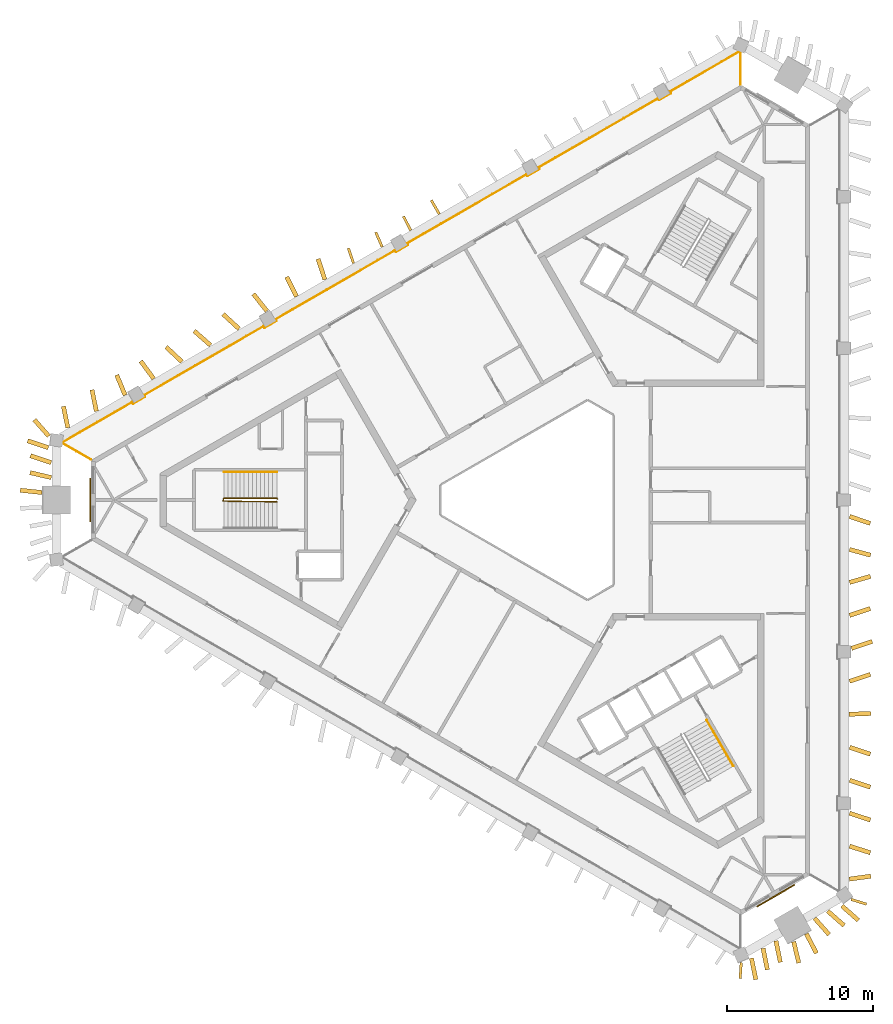
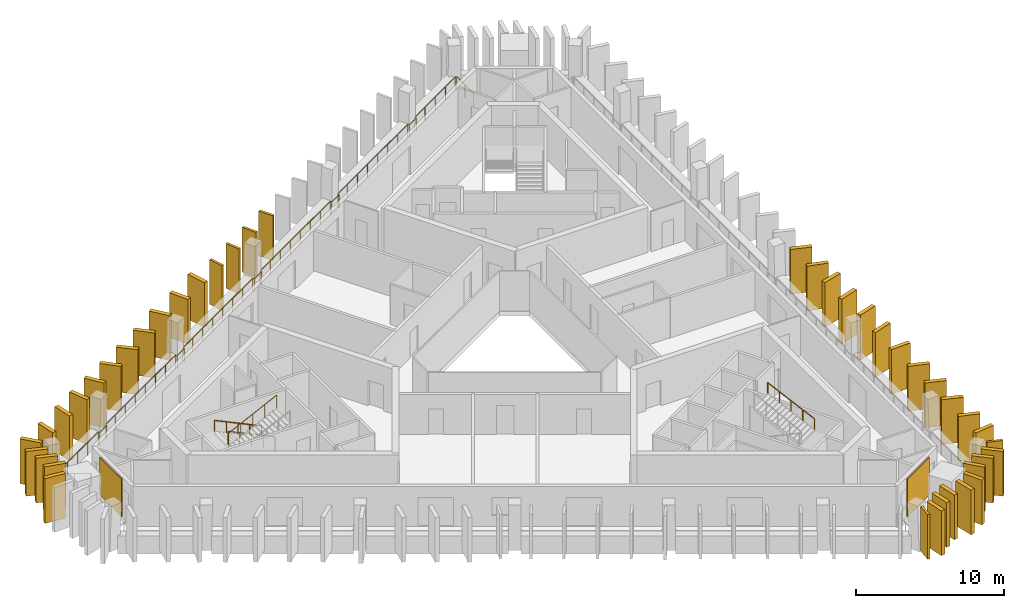
# One storey, part 8 of 9: 41 shading devices, 4 railings, 2 coverings.
"""IFC4 building model written with IfcOpenShell, lengths in metres."""

from ifc_helpers import new_model, si_unit, direction, frame, frame_2d, origin, origin_2d, place, context, subcontext, project, spatial, rectangle, circle, extrude, material, layer, layer_set, type_object, element, save


model = new_model("IFC4")

# Units and contexts
model_context = context("Model", 3, precision=1e-05, world=origin(), true_north=direction((0.0, 1.0)))
body_context = subcontext(model_context, "Body", "Model", "MODEL_VIEW")
ifc_project = project(units=[si_unit("LENGTHUNIT", "METRE"), si_unit("AREAUNIT", "SQUARE_METRE"), si_unit("VOLUMEUNIT", "CUBIC_METRE"), si_unit("PLANEANGLEUNIT", "RADIAN"), si_unit("MASSUNIT", "GRAM", prefix="KILO")], contexts=[model_context])

# Site, building, storey
site_placement = place(None, origin())
site = spatial("IfcSite", under=ifc_project, at=site_placement, CompositionType="ELEMENT")
building_placement = place(site_placement, origin())
building = spatial("IfcBuilding", under=site, at=building_placement, Name="Jabali Bay Hotel Tower and Convention Centre", CompositionType="ELEMENT")
storey_placement = place(building_placement, frame((0.0, 0.0, 209.5)))
storey = spatial("IfcBuildingStorey", under=building, at=storey_placement, Name="L51", CompositionType="ELEMENT", Elevation=209.5)

# Railing
ifc_material_1 = material(Name="Glass", Category="glass")
railing_type_1 = type_object("IfcRailingType", Name="Loggia glass guard 1100", PredefinedType="BALUSTRADE", material=ifc_material_1)
railing_1_placement = place(storey_placement, frame((43.65234375, 82.77392578125, 0.0)))
element("IfcRailing", 1, at=railing_1_placement, inside=storey, type_object=railing_type_1, Name="Loggia glass guard L51", PredefinedType="BALUSTRADE", context=body_context, shape_type="SweptSolid", body=[
    extrude(circle(Radius=0.02490234375, at=origin_2d()), frame((0.0, 0.0, 1.0751953125), z_axis=(-0.866008297462, 0.50002962785, 0.0), x_axis=(-0.495751805066, -0.858599476426, 0.13052619222)), (0.0, 0.0, 1.0), 2.247314453125),
    extrude(circle(Radius=0.02490234375, at=origin_2d()), frame((-1.9462890625, 1.123779296875, 1.0751953125), z_axis=(0.120005554105, 0.99277322032, 0.0), x_axis=(-0.984279907796, 0.118978889953, 0.13052619222)), (0.0, 0.0, 1.0), 0.067138671875),
    extrude(circle(Radius=0.02490234375, at=origin_2d()), frame((-1.938232421875, 1.1904296875, 1.0751953125), z_axis=(0.86603453913, 0.499984176783, 0.0), x_axis=(-0.49570674284, 0.858625493593, 0.13052619222)), (0.0, 0.0, 1.0), 5.517822265625),
    extrude(circle(Radius=0.02490234375, at=origin_2d()), frame((2.84033203125, 3.94921875, 1.0751953125), z_axis=(0.500342721131, -0.865827443207, 0.0), x_axis=(0.858420169404, 0.496062219791, 0.13052619222)), (0.0, 0.0, 1.0), 0.125),
    extrude(circle(Radius=0.02490234375, at=origin_2d()), frame((2.90283203125, 3.841064453125, 1.0751953125), z_axis=(0.866100000774, 0.49987077196, 0.0), x_axis=(-0.495594308211, 0.858690395203, 0.13052619222)), (0.0, 0.0, 1.0), 0.949951171875),
    extrude(circle(Radius=0.02490234375, at=origin_2d()), frame((3.7255859375, 4.31591796875, 1.0751953125), z_axis=(-0.499497219344, 0.8663154898, 0.0), x_axis=(-0.858904040691, -0.495223951389, 0.13052619222)), (0.0, 0.0, 1.0), 0.125244140625),
    extrude(circle(Radius=0.02490234375, at=origin_2d()), frame((3.6630859375, 4.42431640625, 1.0751953125), z_axis=(0.866030698575, 0.499990829041, 0.0), x_axis=(-0.495713338187, 0.858621685895, 0.13052619222)), (0.0, 0.0, 1.0), 9.475830078125),
    extrude(circle(Radius=0.02490234375, at=origin_2d()), frame((11.869384765625, 9.162109375, 1.0751953125), z_axis=(0.500342721131, -0.865827443207, 0.0), x_axis=(0.858420169404, 0.496062219791, 0.13052619222)), (0.0, 0.0, 1.0), 0.125),
    extrude(circle(Radius=0.02490234375, at=origin_2d()), frame((11.931884765625, 9.053955078125, 1.0751953125), z_axis=(0.866100000774, 0.49987077196, 0.0), x_axis=(-0.495594308211, 0.858690395203, 0.13052619222)), (0.0, 0.0, 1.0), 0.949951171875),
    extrude(circle(Radius=0.02490234375, at=origin_2d()), frame((12.754638671875, 9.52880859375, 1.0751953125), z_axis=(-0.499497219344, 0.8663154898, 0.0), x_axis=(-0.858904040691, -0.495223951389, 0.13052619222)), (0.0, 0.0, 1.0), 0.125244140625),
    extrude(circle(Radius=0.02490234375, at=origin_2d()), frame((12.692138671875, 9.63720703125, 1.0751953125), z_axis=(0.866024257407, 0.500001985578, 0.0), x_axis=(-0.495724399278, 0.858615299832, 0.13052619222)), (0.0, 0.0, 1.0), 9.4755859375),
    extrude(circle(Radius=0.02490234375, at=origin_2d()), frame((20.898193359375, 14.375, 1.0751953125), z_axis=(0.499497219344, -0.8663154898, 0.0), x_axis=(0.858904040691, 0.495223951389, 0.13052619222)), (0.0, 0.0, 1.0), 0.125244140625),
    extrude(circle(Radius=0.02490234375, at=origin_2d()), frame((20.960693359375, 14.2666015625, 1.0751953125), z_axis=(0.865988727248, 0.500063520245, 0.0), x_axis=(-0.495785407507, 0.858580073638, 0.13052619222)), (0.0, 0.0, 1.0), 0.9501953125),
    extrude(circle(Radius=0.02490234375, at=origin_2d()), frame((21.783447265625, 14.74169921875, 1.0751953125), z_axis=(-0.500342721131, 0.865827443207, 0.0), x_axis=(-0.858420169404, -0.496062219791, 0.13052619222)), (0.0, 0.0, 1.0), 0.125),
    extrude(circle(Radius=0.02490234375, at=origin_2d()), frame((21.720947265625, 14.849853515625, 1.0751953125), z_axis=(0.866019542174, 0.50001015247, 0.0), x_axis=(-0.495732496301, 0.858610624938, 0.13052619222)), (0.0, 0.0, 1.0), 9.475830078125),
    extrude(circle(Radius=0.02490234375, at=origin_2d()), frame((29.92724609375, 19.587890625, 1.0751953125), z_axis=(0.499497219344, -0.8663154898, 0.0), x_axis=(0.858904040691, 0.495223951389, 0.13052619222)), (0.0, 0.0, 1.0), 0.125244140625),
    extrude(circle(Radius=0.02490234375, at=origin_2d()), frame((29.98974609375, 19.4794921875, 1.0751953125), z_axis=(0.865988727248, 0.500063520245, 0.0), x_axis=(-0.495785407507, 0.858580073638, 0.13052619222)), (0.0, 0.0, 1.0), 0.9501953125),
    extrude(circle(Radius=0.02490234375, at=origin_2d()), frame((30.8125, 19.95458984375, 1.0751953125), z_axis=(-0.500342721131, 0.865827443207, 0.0), x_axis=(-0.858420169404, -0.496062219791, 0.13052619222)), (0.0, 0.0, 1.0), 0.125),
    extrude(circle(Radius=0.02490234375, at=origin_2d()), frame((30.75, 20.062744140625, 1.0751953125), z_axis=(0.866013100591, 0.500021309151, 0.0), x_axis=(-0.495743557535, 0.858604238463, 0.13052619222)), (0.0, 0.0, 1.0), 9.4755859375),
    extrude(circle(Radius=0.02490234375, at=origin_2d()), frame((38.9560546875, 24.80078125, 1.0751953125), z_axis=(0.499497219344, -0.8663154898, 0.0), x_axis=(0.858904040691, 0.495223951389, 0.13052619222)), (0.0, 0.0, 1.0), 0.125244140625),
    extrude(circle(Radius=0.02490234375, at=origin_2d()), frame((39.0185546875, 24.6923828125, 1.0751953125), z_axis=(0.865988727248, 0.500063520245, 0.0), x_axis=(-0.495785407507, 0.858580073638, 0.13052619222)), (0.0, 0.0, 1.0), 0.9501953125),
    extrude(circle(Radius=0.02490234375, at=origin_2d()), frame((39.84130859375, 25.16748046875, 1.0751953125), z_axis=(-0.500342721131, 0.865827443207, 0.0), x_axis=(-0.858420169404, -0.496062219791, 0.13052619222)), (0.0, 0.0, 1.0), 0.125),
    extrude(circle(Radius=0.02490234375, at=origin_2d()), frame((39.77880859375, 25.275634765625, 1.0751953125), z_axis=(0.866015380075, 0.500017361172, 0.0), x_axis=(-0.495739643332, 0.858606498446, 0.13052619222)), (0.0, 0.0, 1.0), 5.517822265625),
    extrude(circle(Radius=0.02490234375, at=origin_2d()), frame((44.557373046875, 28.03466796875, 1.0751953125), z_axis=(0.91970817197, -0.392602697916, 0.0), x_axis=(0.38924392741, 0.911839941063, 0.13052619222)), (0.0, 0.0, 1.0), 0.067138671875),
    extrude(circle(Radius=0.02490234375, at=origin_2d()), frame((44.619140625, 28.00830078125, 1.0751953125), z_axis=(0.0, -1.0, 0.0), x_axis=(0.991444861374, 0.0, 0.13052619222)), (0.0, 0.0, 1.0), 2.247314453125),
    extrude(circle(Radius=0.02001953125, at=origin_2d()), origin(), (0.0, 0.0, 1.0), 1.050048828125),
    extrude(circle(Radius=0.02001953125, at=origin_2d()), frame((-0.97314453125, 0.56201171875, 0.0)), (0.0, 0.0, 1.0), 1.050048828125),
    extrude(circle(Radius=0.02001953125, at=origin_2d()), frame((-1.9462890625, 1.123779296875, 0.0)), (0.0, 0.0, 1.0), 1.050048828125),
    extrude(circle(Radius=0.02001953125, at=origin_2d()), frame((-1.938232421875, 1.1904296875, 0.0)), (0.0, 0.0, 1.0), 1.050048828125),
    extrude(circle(Radius=0.02001953125, at=origin_2d()), frame((-0.74365234375, 1.880126953125, 0.0)), (0.0, 0.0, 1.0), 1.050048828125),
    extrude(circle(Radius=0.02001953125, at=origin_2d()), frame((0.451171875, 2.56982421875, 0.0)), (0.0, 0.0, 1.0), 1.050048828125),
    extrude(circle(Radius=0.02001953125, at=origin_2d()), frame((1.645751953125, 3.259521484375, 0.0)), (0.0, 0.0, 1.0), 1.050048828125),
    extrude(circle(Radius=0.02001953125, at=origin_2d()), frame((2.84033203125, 3.94921875, 0.0)), (0.0, 0.0, 1.0), 1.050048828125),
    extrude(circle(Radius=0.02001953125, at=origin_2d()), frame((2.90283203125, 3.841064453125, 0.0)), (0.0, 0.0, 1.0), 1.050048828125),
    extrude(circle(Radius=0.02001953125, at=origin_2d()), frame((3.7255859375, 4.31591796875, 0.0)), (0.0, 0.0, 1.0), 1.050048828125),
    extrude(circle(Radius=0.02001953125, at=origin_2d()), frame((3.6630859375, 4.42431640625, 0.0)), (0.0, 0.0, 1.0), 1.050048828125),
    extrude(circle(Radius=0.02001953125, at=origin_2d()), frame((4.83544921875, 5.10107421875, 0.0)), (0.0, 0.0, 1.0), 1.050048828125),
    extrude(circle(Radius=0.02001953125, at=origin_2d()), frame((6.0078125, 5.778076171875, 0.0)), (0.0, 0.0, 1.0), 1.050048828125),
    extrude(circle(Radius=0.02001953125, at=origin_2d()), frame((7.18017578125, 6.454833984375, 0.0)), (0.0, 0.0, 1.0), 1.050048828125),
    extrude(circle(Radius=0.02001953125, at=origin_2d()), frame((8.352294921875, 7.131591796875, 0.0)), (0.0, 0.0, 1.0), 1.050048828125),
    extrude(circle(Radius=0.02001953125, at=origin_2d()), frame((9.524658203125, 7.808349609375, 0.0)), (0.0, 0.0, 1.0), 1.050048828125),
    extrude(circle(Radius=0.02001953125, at=origin_2d()), frame((10.697021484375, 8.4853515625, 0.0)), (0.0, 0.0, 1.0), 1.050048828125),
    extrude(circle(Radius=0.02001953125, at=origin_2d()), frame((11.869384765625, 9.162109375, 0.0)), (0.0, 0.0, 1.0), 1.050048828125),
    extrude(circle(Radius=0.02001953125, at=origin_2d()), frame((11.931884765625, 9.053955078125, 0.0)), (0.0, 0.0, 1.0), 1.050048828125),
    extrude(circle(Radius=0.02001953125, at=origin_2d()), frame((12.754638671875, 9.52880859375, 0.0)), (0.0, 0.0, 1.0), 1.050048828125),
    extrude(circle(Radius=0.02001953125, at=origin_2d()), frame((12.692138671875, 9.63720703125, 0.0)), (0.0, 0.0, 1.0), 1.050048828125),
    extrude(circle(Radius=0.02001953125, at=origin_2d()), frame((13.864501953125, 10.31396484375, 0.0)), (0.0, 0.0, 1.0), 1.050048828125),
    extrude(circle(Radius=0.02001953125, at=origin_2d()), frame((15.03662109375, 10.990966796875, 0.0)), (0.0, 0.0, 1.0), 1.050048828125),
    extrude(circle(Radius=0.02001953125, at=origin_2d()), frame((16.208984375, 11.667724609375, 0.0)), (0.0, 0.0, 1.0), 1.050048828125),
    extrude(circle(Radius=0.02001953125, at=origin_2d()), frame((17.38134765625, 12.344482421875, 0.0)), (0.0, 0.0, 1.0), 1.050048828125),
    extrude(circle(Radius=0.02001953125, at=origin_2d()), frame((18.5537109375, 13.021240234375, 0.0)), (0.0, 0.0, 1.0), 1.050048828125),
    extrude(circle(Radius=0.02001953125, at=origin_2d()), frame((19.725830078125, 13.6982421875, 0.0)), (0.0, 0.0, 1.0), 1.050048828125),
    extrude(circle(Radius=0.02001953125, at=origin_2d()), frame((20.898193359375, 14.375, 0.0)), (0.0, 0.0, 1.0), 1.050048828125),
    extrude(circle(Radius=0.02001953125, at=origin_2d()), frame((20.960693359375, 14.2666015625, 0.0)), (0.0, 0.0, 1.0), 1.050048828125),
    extrude(circle(Radius=0.02001953125, at=origin_2d()), frame((21.783447265625, 14.74169921875, 0.0)), (0.0, 0.0, 1.0), 1.050048828125),
    extrude(circle(Radius=0.02001953125, at=origin_2d()), frame((21.720947265625, 14.849853515625, 0.0)), (0.0, 0.0, 1.0), 1.050048828125),
    extrude(circle(Radius=0.02001953125, at=origin_2d()), frame((22.893310546875, 15.526611328125, 0.0)), (0.0, 0.0, 1.0), 1.050048828125),
    extrude(circle(Radius=0.02001953125, at=origin_2d()), frame((24.065673828125, 16.20361328125, 0.0)), (0.0, 0.0, 1.0), 1.050048828125),
    extrude(circle(Radius=0.02001953125, at=origin_2d()), frame((25.238037109375, 16.88037109375, 0.0)), (0.0, 0.0, 1.0), 1.050048828125),
    extrude(circle(Radius=0.02001953125, at=origin_2d()), frame((26.41015625, 17.557373046875, 0.0)), (0.0, 0.0, 1.0), 1.050048828125),
    extrude(circle(Radius=0.02001953125, at=origin_2d()), frame((27.58251953125, 18.234130859375, 0.0)), (0.0, 0.0, 1.0), 1.050048828125),
    extrude(circle(Radius=0.02001953125, at=origin_2d()), frame((28.7548828125, 18.9111328125, 0.0)), (0.0, 0.0, 1.0), 1.050048828125),
    extrude(circle(Radius=0.02001953125, at=origin_2d()), frame((29.92724609375, 19.587890625, 0.0)), (0.0, 0.0, 1.0), 1.050048828125),
    extrude(circle(Radius=0.02001953125, at=origin_2d()), frame((29.98974609375, 19.4794921875, 0.0)), (0.0, 0.0, 1.0), 1.050048828125),
    extrude(circle(Radius=0.02001953125, at=origin_2d()), frame((30.8125, 19.95458984375, 0.0)), (0.0, 0.0, 1.0), 1.050048828125),
    extrude(circle(Radius=0.02001953125, at=origin_2d()), frame((30.75, 20.062744140625, 0.0)), (0.0, 0.0, 1.0), 1.050048828125),
    extrude(circle(Radius=0.02001953125, at=origin_2d()), frame((31.92236328125, 20.739501953125, 0.0)), (0.0, 0.0, 1.0), 1.050048828125),
    extrude(circle(Radius=0.02001953125, at=origin_2d()), frame((33.094482421875, 21.41650390625, 0.0)), (0.0, 0.0, 1.0), 1.050048828125),
    extrude(circle(Radius=0.02001953125, at=origin_2d()), frame((34.266845703125, 22.09326171875, 0.0)), (0.0, 0.0, 1.0), 1.050048828125),
    extrude(circle(Radius=0.02001953125, at=origin_2d()), frame((35.439208984375, 22.770263671875, 0.0)), (0.0, 0.0, 1.0), 1.050048828125),
    extrude(circle(Radius=0.02001953125, at=origin_2d()), frame((36.611572265625, 23.447021484375, 0.0)), (0.0, 0.0, 1.0), 1.050048828125),
    extrude(circle(Radius=0.02001953125, at=origin_2d()), frame((37.78369140625, 24.1240234375, 0.0)), (0.0, 0.0, 1.0), 1.050048828125),
    extrude(circle(Radius=0.02001953125, at=origin_2d()), frame((38.9560546875, 24.80078125, 0.0)), (0.0, 0.0, 1.0), 1.050048828125),
    extrude(circle(Radius=0.02001953125, at=origin_2d()), frame((39.0185546875, 24.6923828125, 0.0)), (0.0, 0.0, 1.0), 1.050048828125),
    extrude(circle(Radius=0.02001953125, at=origin_2d()), frame((39.84130859375, 25.16748046875, 0.0)), (0.0, 0.0, 1.0), 1.050048828125),
    extrude(circle(Radius=0.02001953125, at=origin_2d()), frame((39.77880859375, 25.275634765625, 0.0)), (0.0, 0.0, 1.0), 1.050048828125),
    extrude(circle(Radius=0.02001953125, at=origin_2d()), frame((40.973388671875, 25.96533203125, 0.0)), (0.0, 0.0, 1.0), 1.050048828125),
    extrude(circle(Radius=0.02001953125, at=origin_2d()), frame((42.16796875, 26.6552734375, 0.0)), (0.0, 0.0, 1.0), 1.050048828125),
    extrude(circle(Radius=0.02001953125, at=origin_2d()), frame((43.36279296875, 27.344970703125, 0.0)), (0.0, 0.0, 1.0), 1.050048828125),
    extrude(circle(Radius=0.02001953125, at=origin_2d()), frame((44.557373046875, 28.03466796875, 0.0)), (0.0, 0.0, 1.0), 1.050048828125),
    extrude(circle(Radius=0.02001953125, at=origin_2d()), frame((44.619140625, 28.00830078125, 0.0)), (0.0, 0.0, 1.0), 1.050048828125),
    extrude(circle(Radius=0.02001953125, at=origin_2d()), frame((44.619140625, 26.884765625, 0.0)), (0.0, 0.0, 1.0), 1.050048828125),
    extrude(circle(Radius=0.02001953125, at=origin_2d()), frame((44.619140625, 25.760986328125, 0.0)), (0.0, 0.0, 1.0), 1.050048828125),
])

# Shading devices
ifc_material_2 = material(Name="Precast concrete C60", Category="concrete")
ifc_layer_1 = layer(ifc_material_2, 0.179931640625)
ifc_layer_set_1 = layer_set([ifc_layer_1], Name="Precast concrete C60")
shading_device_type_1 = type_object("IfcShadingDeviceType", Name="Precast fin 3680 x 1100", PredefinedType="USERDEFINED", material=ifc_layer_set_1)
shading_device_1_placement = place(storey_placement, frame((67.582275390625, 99.6416015625, 0.010009765625), z_axis=(0.0, 0.0, 1.0), x_axis=(-0.503484496872, 0.864004260064, 0.0)))
element("IfcShadingDevice", 2, at=shading_device_1_placement, inside=storey, type_object=shading_device_type_1, Name="Fin L51 042", ObjectType="FIN", PredefinedType="USERDEFINED", context=body_context, shape_type="SweptSolid", body=[
    extrude(rectangle(XDim=1.099853515625, YDim=0.179931640625, at=frame_2d((0.5498046875, 0.0))), origin(), (0.0, 0.0, 1.0), 3.679931640625),
])
for number, where, z_axis, x_axis, name in (
    (3, (65.619140625, 98.512939453125, 0.010009765625), (0.0, 0.0, 1.0), (-0.454919461231, 0.890532584352, 0.0), "Fin L51 043"),
    (4, (63.655029296875, 97.385498046875, 0.010009765625), (0.0, 0.0, 1.0), (-0.396810084964, 0.917900733452, 0.0), "Fin L51 044"),
    (5, (61.6904296875, 96.259033203125, 0.010009765625), (0.0, 0.0, 1.0), (-0.325532453187, 0.945530867778, 0.0), "Fin L51 045"),
    (6, (95.875244140625, 52.565185546875, 0.010009765625), (0.0, 0.0, 1.0), (0.95442073145, -0.298464516113, 0.0), "Fin L51 096"),
    (7, (88.321533203125, 48.216796875, 0.010009765625), (0.0, 0.0, 1.0), (-0.068802091615, -0.997630328423, 0.0), "Fin L51 101"),
):
    element("IfcShadingDevice", number, at=place(storey_placement, frame(where, z_axis=z_axis, x_axis=x_axis)), inside=storey, type_object=shading_device_type_1, Name=name, ObjectType="FIN", PredefinedType="USERDEFINED", context=body_context, shape_type="SweptSolid", body=[
        extrude(rectangle(XDim=1.10009765625, YDim=0.179931640625, at=frame_2d((0.550048828125, 0.0))), origin(), (0.0, 0.0, 1.0), 3.679931640625),
    ])
ifc_layer_2 = layer(ifc_material_2, 0.300048828125)
ifc_layer_set_2 = layer_set([ifc_layer_2], Name="Precast concrete C60")
shading_device_type_2 = type_object("IfcShadingDeviceType", Name="Precast fin 3680 x 1500", PredefinedType="USERDEFINED", material=ifc_layer_set_2)
for number, where, z_axis, x_axis, name in (
    (8, (95.739013671875, 53.956787109375, 0.010009765625), (0.0, 0.0, 1.0), (0.990520589341, 0.137364340684, 0.0), "Fin L51 000"),
    (9, (95.763671875, 56.221435546875, 0.010009765625), (0.0, 0.0, 1.0), (0.953390614947, -0.30173885287, 0.0), "Fin L51 001"),
    (10, (95.765625, 58.486083984375, 0.010009765625), (0.0, 0.0, 1.0), (0.949267637036, -0.314469320088, 0.0), "Fin L51 002"),
    (11, (95.76611328125, 60.750732421875, 0.010009765625), (0.0, 0.0, 1.0), (0.948291928696, -0.317399461201, 0.0), "Fin L51 003"),
    (12, (95.76611328125, 63.015380859375, 0.010009765625), (0.0, 0.0, 1.0), (0.948079364295, -0.318033833104, 0.0), "Fin L51 004"),
    (13, (95.72412109375, 65.280029296875, 0.010009765625), (0.0, 0.0, 1.0), (0.999286909745, 0.03775807216, 0.0), "Fin L51 005"),
    (14, (95.76611328125, 67.544677734375, 0.010009765625), (0.0, 0.0, 1.0), (0.948030279817, 0.318180119664, 0.0), "Fin L51 006"),
    (15, (95.898681640625, 69.809326171875, 0.010009765625), (0.0, 0.0, 1.0), (0.948030279817, 0.318180119664, 0.0), "Fin L51 007"),
):
    element("IfcShadingDevice", number, at=place(storey_placement, frame(where, z_axis=z_axis, x_axis=x_axis)), inside=storey, type_object=shading_device_type_2, Name=name, ObjectType="FIN", PredefinedType="USERDEFINED", context=body_context, shape_type="SweptSolid", body=[
        extrude(rectangle(XDim=1.5, YDim=0.300048828125, at=frame_2d((0.75, 0.0))), origin(), (0.0, 0.0, 1.0), 3.679931640625),
    ])
shading_device_2_placement = place(storey_placement, frame((95.76611328125, 72.07373046875, 0.010009765625), z_axis=(0.0, 0.0, 1.0), x_axis=(0.947981177855, 0.3183263835, 0.0)))
element("IfcShadingDevice", 16, at=shading_device_2_placement, inside=storey, type_object=shading_device_type_2, Name="Fin L51 008", ObjectType="FIN", PredefinedType="USERDEFINED", context=body_context, shape_type="SweptSolid", body=[
    extrude(rectangle(XDim=1.500244140625, YDim=0.300048828125, at=frame_2d((0.75, 0.0))), origin(), (0.0, 0.0, 1.0), 3.679931640625),
])
for number, where, z_axis, x_axis, name in (
    (17, (95.76025390625, 74.33837890625, 0.010009765625), (0.0, 0.0, 1.0), (0.960441763975, 0.278480911398, 0.0), "Fin L51 009"),
    (18, (95.758056640625, 76.60302734375, 0.010009765625), (0.0, 0.0, 1.0), (0.964699939411, -0.263351527243, 0.0), "Fin L51 010"),
    (19, (95.76611328125, 78.86767578125, 0.010009765625), (0.0, 0.0, 1.0), (0.948030279817, -0.318180119664, 0.0), "Fin L51 011"),
    (20, (59.722412109375, 95.138427734375, 0.010009765625), (0.0, 0.0, 1.0), (-0.313003132129, 0.949752093589, 0.0), "Fin L51 046"),
    (21, (57.7724609375, 93.98681640625, 0.010009765625), (0.0, 0.0, 1.0), (-0.451830092385, 0.892104011658, 0.0), "Fin L51 047"),
):
    element("IfcShadingDevice", number, at=place(storey_placement, frame(where, z_axis=z_axis, x_axis=x_axis)), inside=storey, type_object=shading_device_type_2, Name=name, ObjectType="FIN", PredefinedType="USERDEFINED", context=body_context, shape_type="SweptSolid", body=[
        extrude(rectangle(XDim=1.5, YDim=0.300048828125, at=frame_2d((0.75, 0.0))), origin(), (0.0, 0.0, 1.0), 3.679931640625),
    ])
shading_device_3_placement = place(storey_placement, frame((55.738037109375, 92.98095703125, 0.010009765625), z_axis=(0.0, 0.0, 1.0), x_axis=(-0.620198314176, 0.784445059321, 0.0)))
element("IfcShadingDevice", 22, at=shading_device_3_placement, inside=storey, type_object=shading_device_type_2, Name="Fin L51 048", ObjectType="FIN", PredefinedType="USERDEFINED", context=body_context, shape_type="SweptSolid", body=[
    extrude(rectangle(XDim=1.499755859375, YDim=0.300048828125, at=frame_2d((0.75, 0.0))), origin(), (0.0, 0.0, 1.0), 3.679931640625),
])
for number, where, z_axis, x_axis, name in (
    (23, (53.83154296875, 91.75390625, 0.010009765625), (0.0, 0.0, 1.0), (-0.73603156928, 0.676947212878, 0.0), "Fin L51 049"),
    (24, (51.868896484375, 90.6240234375, 0.010009765625), (0.0, 0.0, 1.0), (-0.74953377894, 0.661966097492, 0.0), "Fin L51 050"),
    (25, (49.909912109375, 89.488037109375, 0.010009765625), (0.0, 0.0, 1.0), (-0.728897299104, 0.684623054942, 0.0), "Fin L51 051"),
    (26, (47.962158203125, 88.33251953125, 0.010009765625), (0.0, 0.0, 1.0), (-0.593076892402, 0.805145825114, 0.0), "Fin L51 052"),
    (27, (45.99951171875, 87.202392578125, 0.010009765625), (0.0, 0.0, 1.0), (-0.384765619904, 0.923014310691, 0.0), "Fin L51 053"),
    (28, (44.024169921875, 86.0947265625, 0.010009765625), (0.0, 0.0, 1.0), (-0.198400456872, 0.980121042889, 0.0), "Fin L51 054"),
    (29, (42.06298828125, 84.96240234375, 0.010009765625), (0.0, 0.0, 1.0), (-0.198400456872, 0.980121042889, 0.0), "Fin L51 055"),
):
    element("IfcShadingDevice", number, at=place(storey_placement, frame(where, z_axis=z_axis, x_axis=x_axis)), inside=storey, type_object=shading_device_type_2, Name=name, ObjectType="FIN", PredefinedType="USERDEFINED", context=body_context, shape_type="SweptSolid", body=[
        extrude(rectangle(XDim=1.5, YDim=0.300048828125, at=frame_2d((0.75, 0.0))), origin(), (0.0, 0.0, 1.0), 3.679931640625),
    ])
for number, where, z_axis, x_axis, name in (
    (30, (40.731689453125, 83.589111328125, 0.010009765625), (0.0, 0.0, 1.0), (-0.948013799223, 0.318229220034, 0.0), "Fin L51 056"),
    (31, (40.917724609375, 82.563720703125, 0.010009765625), (0.0, 0.0, 1.0), (-0.948013799223, 0.318229220034, 0.0), "Fin L51 057"),
):
    element("IfcShadingDevice", number, at=place(storey_placement, frame(where, z_axis=z_axis, x_axis=x_axis)), inside=storey, type_object=shading_device_type_2, Name=name, ObjectType="FIN", PredefinedType="USERDEFINED", context=body_context, shape_type="SweptSolid", body=[
        extrude(rectangle(XDim=1.499755859375, YDim=0.300048828125, at=frame_2d((0.75, 0.0))), origin(), (0.0, 0.0, 1.0), 3.679931640625),
    ])
for number, where, z_axis, x_axis, name in (
    (32, (40.931396484375, 81.5380859375, 0.010009765625), (0.0, 0.0, 1.0), (-0.973581270359, 0.228340776047, 0.0), "Fin L51 058"),
    (33, (40.287353515625, 80.5126953125, 0.010009765625), (0.0, 0.0, 1.0), (-0.994560604365, 0.104159513466, 0.0), "Fin L51 059"),
    (34, (89.02587890625, 48.5283203125, 0.010009765625), (0.0, 0.0, 1.0), (0.198400456872, -0.980121042889, 0.0), "Fin L51 088"),
    (35, (89.821044921875, 49.2021484375, 0.010009765625), (0.0, 0.0, 1.0), (0.198244099119, -0.980152680537, 0.0), "Fin L51 089"),
    (36, (90.708984375, 49.71484375, 0.010009765625), (0.0, 0.0, 1.0), (0.198400456872, -0.980121042889, 0.0), "Fin L51 090"),
):
    element("IfcShadingDevice", number, at=place(storey_placement, frame(where, z_axis=z_axis, x_axis=x_axis)), inside=storey, type_object=shading_device_type_2, Name=name, ObjectType="FIN", PredefinedType="USERDEFINED", context=body_context, shape_type="SweptSolid", body=[
        extrude(rectangle(XDim=1.5, YDim=0.300048828125, at=frame_2d((0.75, 0.0))), origin(), (0.0, 0.0, 1.0), 3.679931640625),
    ])
shading_device_4_placement = place(storey_placement, frame((91.92578125, 49.658203125, 0.010009765625), z_axis=(0.0, 0.0, 1.0), x_axis=(0.233255979641, -0.97241536802, 0.0)))
element("IfcShadingDevice", 37, at=shading_device_4_placement, inside=storey, type_object=shading_device_type_2, Name="Fin L51 091", ObjectType="FIN", PredefinedType="USERDEFINED", context=body_context, shape_type="SweptSolid", body=[
    extrude(rectangle(XDim=1.499755859375, YDim=0.300048828125, at=frame_2d((0.75, 0.0))), origin(), (0.0, 0.0, 1.0), 3.679931640625),
])
for number, where, z_axis, x_axis, name in (
    (38, (92.7958984375, 50.201904296875, 0.010009765625), (0.0, 0.0, 1.0), (0.460445431399, -0.887688010905, 0.0), "Fin L51 092"),
    (39, (93.3642578125, 51.2685546875, 0.010009765625), (0.0, 0.0, 1.0), (0.662401793009, -0.749148760006, 0.0), "Fin L51 093"),
):
    element("IfcShadingDevice", number, at=place(storey_placement, frame(where, z_axis=z_axis, x_axis=x_axis)), inside=storey, type_object=shading_device_type_2, Name=name, ObjectType="FIN", PredefinedType="USERDEFINED", context=body_context, shape_type="SweptSolid", body=[
        extrude(rectangle(XDim=1.5, YDim=0.300048828125, at=frame_2d((0.75, 0.0))), origin(), (0.0, 0.0, 1.0), 3.679931640625),
    ])
shading_device_5_placement = place(storey_placement, frame((94.26123046875, 51.765869140625, 0.010009765625), z_axis=(0.0, 0.0, 1.0), x_axis=(0.749605089459, -0.661885344948, 0.0)))
element("IfcShadingDevice", 40, at=shading_device_5_placement, inside=storey, type_object=shading_device_type_2, Name="Fin L51 094", ObjectType="FIN", PredefinedType="USERDEFINED", context=body_context, shape_type="SweptSolid", body=[
    extrude(rectangle(XDim=1.500244140625, YDim=0.300048828125, at=frame_2d((0.75, 0.0))), origin(), (0.0, 0.0, 1.0), 3.679931640625),
])
shading_device_6_placement = place(storey_placement, frame((95.242431640625, 52.117431640625, 0.010009765625), z_axis=(0.0, 0.0, 1.0), x_axis=(0.74953377894, -0.661966097492, 0.0)))
element("IfcShadingDevice", 41, at=shading_device_6_placement, inside=storey, type_object=shading_device_type_2, Name="Fin L51 095", ObjectType="FIN", PredefinedType="USERDEFINED", context=body_context, shape_type="SweptSolid", body=[
    extrude(rectangle(XDim=1.5, YDim=0.300048828125, at=frame_2d((0.75, 0.0))), origin(), (0.0, 0.0, 1.0), 3.679931640625),
])
shading_device_7_placement = place(storey_placement, frame((40.7587890625, 84.38671875, 0.010009765625), z_axis=(0.0, 0.0, 1.0), x_axis=(-0.661885344948, 0.749605089459, 0.0)))
element("IfcShadingDevice", 42, at=shading_device_7_placement, inside=storey, type_object=shading_device_type_2, Name="Fin L51 099", ObjectType="FIN", PredefinedType="USERDEFINED", context=body_context, shape_type="SweptSolid", body=[
    extrude(rectangle(XDim=1.500244140625, YDim=0.300048828125, at=frame_2d((0.75, 0.0))), origin(), (0.0, 0.0, 1.0), 3.679931640625),
])

# Coverings
ifc_material_3 = material(Name="Precast concrete C40/50", Category="concrete")
ifc_layer_3 = layer(ifc_material_3, 0.080078125)
ifc_layer_set_3 = layer_set([ifc_layer_3], Name="Precast concrete C40/50")
covering_type = type_object("IfcCoveringType", Name="Relief panel 3000 x 3100", PredefinedType="CLADDING", material=ifc_layer_set_3)
for number, where, z_axis, x_axis, name in (
    (43, (43.6123046875, 80.0, 0.099853515625), (0.0, 0.0, 1.0), (0.0, 1.0, 0.0), "Relief panel L51"),
    (44, (90.69384765625, 52.8173828125, 0.099853515625), (0.0, 0.0, 1.0), (-0.866025388277, -0.500000026859, 0.0), "Relief panel L51"),
):
    element("IfcCovering", number, at=place(storey_placement, frame(where, z_axis=z_axis, x_axis=x_axis)), inside=storey, type_object=covering_type, Name=name, PredefinedType="CLADDING", context=body_context, shape_type="SweptSolid", body=[
        extrude(rectangle(XDim=3.0, YDim=0.080078125, at=origin_2d()), origin(), (0.0, 0.0, 1.0), 3.10009765625),
    ])

# Railings
ifc_material_4 = material(Name="Steel Q355B", Category="steel")
railing_type_2 = type_object("IfcRailingType", Name="Stair guard 1100", PredefinedType="GUARDRAIL", material=ifc_material_4)
railing_2_placement = place(storey_placement, frame((56.469970703125, 80.074951171875, 0.0)))
element("IfcRailing", 45, at=railing_2_placement, inside=storey, type_object=railing_type_2, Name="L51 ST1 stair guard 1", PredefinedType="GUARDRAIL", context=body_context, shape_type="SweptSolid", body=[
    extrude(circle(Radius=0.02392578125, at=origin_2d()), frame((0.0, 0.0, 1.076171875), z_axis=(-0.333993628408, 0.333993628408, 0.881417331555), x_axis=(-0.707106781187, -0.707106781187, 0.0)), (0.0, 0.0, 1.0), 0.14990234375),
    extrude(circle(Radius=0.02392578125, at=origin_2d()), frame((-0.050048828125, 0.050048828125, 1.2080078125), z_axis=(-0.904327350853, 0.0, 0.426839598092), x_axis=(0.0, -1.0, 0.0)), (0.0, 0.0, 1.0), 4.02490234375),
    extrude(circle(Radius=0.02392578125, at=origin_2d()), frame((-3.68994140625, 0.050048828125, 2.92626953125), z_axis=(-0.242814311512, -0.970072785993, 0.0), x_axis=(0.970072785993, -0.242814311512, 0.0)), (0.0, 0.0, 1.0), 0.2060546875),
    extrude(circle(Radius=0.02392578125, at=origin_2d()), frame((-3.739990234375, -0.14990234375, 2.92626953125), z_axis=(0.893887803671, -0.012124321804, 0.4481267625), x_axis=(0.013562335953, 0.999908027292, 0.0)), (0.0, 0.0, 1.0), 4.1279296875),
    extrude(circle(Radius=0.02099609375, at=origin_2d()), origin(), (0.0, 0.0, 1.0), 1.052001953125),
    extrude(circle(Radius=0.02099609375, at=origin_2d()), frame((-0.050048828125, 0.050048828125, 0.132080078125)), (0.0, 0.0, 1.0), 1.052001953125),
    extrude(circle(Radius=0.02099609375, at=origin_2d()), frame((-0.9599609375, 0.050048828125, 0.5615234375)), (0.0, 0.0, 1.0), 1.052001953125),
    extrude(circle(Radius=0.02099609375, at=origin_2d()), frame((-1.8701171875, 0.050048828125, 0.9912109375)), (0.0, 0.0, 1.0), 1.052001953125),
    extrude(circle(Radius=0.02099609375, at=origin_2d()), frame((-2.780029296875, 0.050048828125, 1.420654296875)), (0.0, 0.0, 1.0), 1.052001953125),
    extrude(circle(Radius=0.02099609375, at=origin_2d()), frame((-3.68994140625, 0.050048828125, 1.85009765625)), (0.0, 0.0, 1.0), 1.052001953125),
    extrude(circle(Radius=0.02099609375, at=origin_2d()), frame((-3.739990234375, -0.14990234375, 1.85009765625)), (0.0, 0.0, 1.0), 1.052001953125),
    extrude(circle(Radius=0.02099609375, at=origin_2d()), frame((-2.8173828125, -0.162353515625, 2.3125)), (0.0, 0.0, 1.0), 1.052001953125),
    extrude(circle(Radius=0.02099609375, at=origin_2d()), frame((-1.89501953125, -0.1748046875, 2.77490234375)), (0.0, 0.0, 1.0), 1.052001953125),
    extrude(circle(Radius=0.02099609375, at=origin_2d()), frame((-0.97265625, -0.1875, 3.237548828125)), (0.0, 0.0, 1.0), 1.052001953125),
    extrude(circle(Radius=0.02099609375, at=origin_2d()), frame((-0.050048828125, -0.199951171875, 3.699951171875)), (0.0, 0.0, 1.0), 1.052001953125),
])
railing_type_3 = type_object("IfcRailingType", Name="Stair handrail 900", PredefinedType="HANDRAIL", material=ifc_material_4)
railing_3_placement = place(storey_placement, frame((56.419921875, 81.925048828125, 0.132080078125)))
element("IfcRailing", 46, at=railing_3_placement, inside=storey, type_object=railing_type_3, Name="L51 ST1 stair handrail 1", PredefinedType="HANDRAIL", context=body_context, shape_type="SweptSolid", body=[
    extrude(circle(Radius=0.02392578125, at=origin_2d()), frame((0.0, 0.0, 0.8759765625), z_axis=(-0.904327350853, 0.0, 0.426839598092), x_axis=(0.0, -1.0, 0.0)), (0.0, 0.0, 1.0), 4.02490234375),
    extrude(circle(Radius=0.02099609375, at=origin_2d()), origin(), (0.0, 0.0, 1.0), 0.851806640625),
    extrude(circle(Radius=0.02099609375, at=origin_2d()), frame((-0.909912109375, 0.0, 0.429443359375)), (0.0, 0.0, 1.0), 0.851806640625),
    extrude(circle(Radius=0.02099609375, at=origin_2d()), frame((-1.81982421875, 0.0, 0.85888671875)), (0.0, 0.0, 1.0), 0.851806640625),
    extrude(circle(Radius=0.02099609375, at=origin_2d()), frame((-2.72998046875, 0.0, 1.28857421875)), (0.0, 0.0, 1.0), 0.851806640625),
    extrude(circle(Radius=0.02099609375, at=origin_2d()), frame((-3.639892578125, 0.0, 1.718017578125)), (0.0, 0.0, 1.0), 0.851806640625),
])
railing_4_placement = place(storey_placement, frame((87.777099609375, 61.719482421875, 1.982177734375)))
element("IfcRailing", 47, at=railing_4_placement, inside=storey, type_object=railing_type_3, Name="L51 ST3 stair handrail 2", PredefinedType="HANDRAIL", context=body_context, shape_type="SweptSolid", body=[
    extrude(circle(Radius=0.02392578125, at=origin_2d()), frame((0.0, 0.0, 0.8759765625), z_axis=(-0.452190331055, 0.783190014029, 0.426775475427), x_axis=(-0.866018046521, -0.500012742938, 0.0)), (0.0, 0.0, 1.0), 4.02490234375),
    extrude(circle(Radius=0.02099609375, at=origin_2d()), origin(), (0.0, 0.0, 1.0), 0.851806640625),
    extrude(circle(Radius=0.02099609375, at=origin_2d()), frame((-0.455078125, 0.7880859375, 0.429443359375)), (0.0, 0.0, 1.0), 0.851806640625),
    extrude(circle(Radius=0.02099609375, at=origin_2d()), frame((-0.91015625, 1.576171875, 0.85888671875)), (0.0, 0.0, 1.0), 0.851806640625),
    extrude(circle(Radius=0.02099609375, at=origin_2d()), frame((-1.364990234375, 2.3642578125, 1.288330078125)), (0.0, 0.0, 1.0), 0.851806640625),
    extrude(circle(Radius=0.02099609375, at=origin_2d()), frame((-1.820068359375, 3.15234375, 1.7177734375)), (0.0, 0.0, 1.0), 0.851806640625),
])

save(model, "model.ifc")
